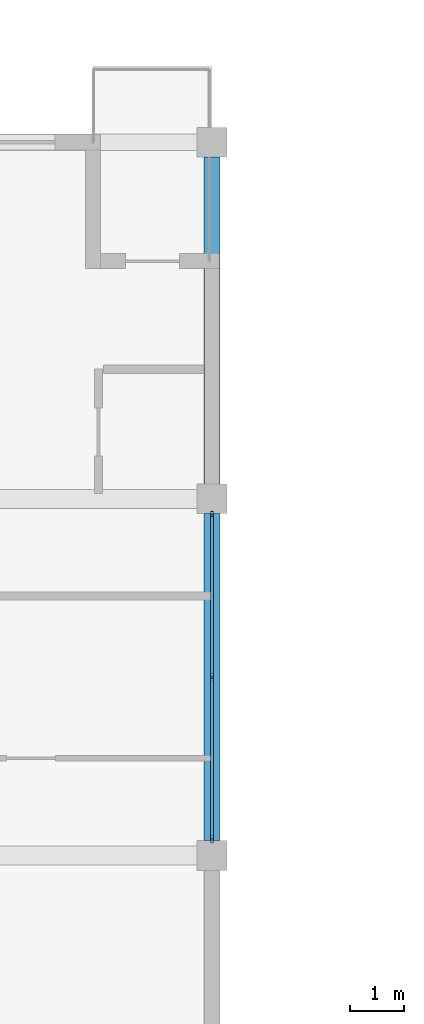
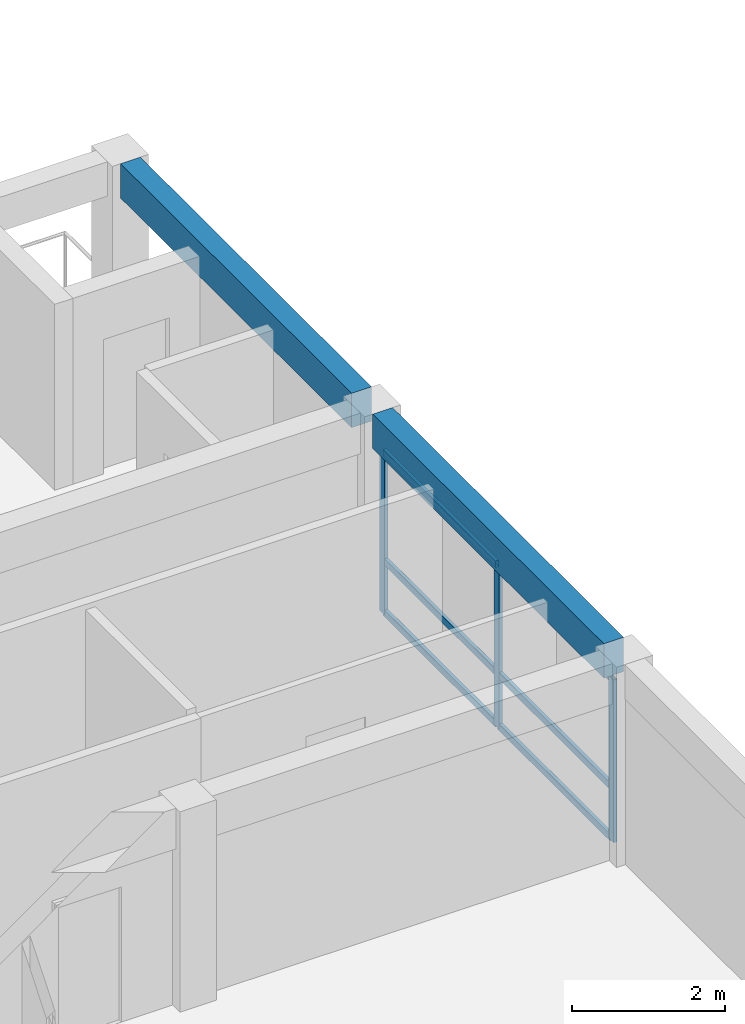
# One storey, part 16 of 46: 9 members, 2 beams, 1 element without a shape of its own.
"""IFC4 building model written with IfcOpenShell, lengths in metres."""

from ifc_helpers import new_model, si_unit, direction, frame, origin, origin_2d, place, context, subcontext, project, spatial, rectangle, hollow_rectangle, extrude, material, material_profile, profile_set, type_object, element, aggregate, save


model = new_model("IFC4")

# Units and contexts
model_context = context("Model", 3, precision=1e-05, world=origin(), true_north=direction((0.0, 1.0)))
body_context = subcontext(model_context, "Body", "Model", "MODEL_VIEW")
ifc_project = project(units=[si_unit("LENGTHUNIT", "METRE"), si_unit("AREAUNIT", "SQUARE_METRE"), si_unit("VOLUMEUNIT", "CUBIC_METRE"), si_unit("PLANEANGLEUNIT", "RADIAN"), si_unit("MASSUNIT", "GRAM", prefix="KILO")], contexts=[model_context])

# Site, building, storey
site_placement = place(None, origin())
site = spatial("IfcSite", under=ifc_project, at=site_placement, CompositionType="ELEMENT")
building_placement = place(site_placement, origin())
building = spatial("IfcBuilding", under=site, at=building_placement, Name="Kernevlak Ridge Housing Community", CompositionType="ELEMENT")
storey_placement = place(building_placement, frame((0.0, 0.0, 27.60009765625)))
storey = spatial("IfcBuildingStorey", under=building, at=storey_placement, Name="L08", CompositionType="ELEMENT", Elevation=27.60009765625)

# Curtain wall, members
ifc_material_1 = material(Name="Aluminium EN AW-6060 anodised and laminated glass", Category="aluminium")
curtain_wall_type = type_object("IfcCurtainWallType", Name="CW-10", PredefinedType="NOTDEFINED", material=ifc_material_1)
curtain_wall_placement = place(storey_placement, origin())
curtain_wall = element("IfcCurtainWall", 1, at=curtain_wall_placement, inside=storey, type_object=curtain_wall_type, Name="Curtain wall CW-10 CW-L08-027", PredefinedType="NOTDEFINED")
ifc_material_2 = material(Name="Aluminium EN AW-6060 anodised", Category="aluminium")
ifc_material_profile_1 = material_profile(ifc_material_2, hollow_rectangle(XDim=0.054931640625, YDim=0.139892578125, WallThickness=0.00390625, InnerFilletRadius=0.001953125, OuterFilletRadius=0.00390625, at=origin_2d()), Name="ALU 55x140x4")
ifc_profile_set_1 = profile_set([ifc_material_profile_1], Name="Aluminium EN AW-6060 anodised")
member_type_1 = type_object("IfcMemberType", Name="MU-01", PredefinedType="MULLION", material=ifc_profile_set_1)
member_1_placement = place(storey_placement, frame((48.60009765625, 82.902587890625, 0.0), z_axis=(0.0, 0.0, 1.0), x_axis=(-1.0, 0.0, 0.0)))
member_1 = element("IfcMember", 2, at=member_1_placement, type_object=member_type_1, Name="CW-10 mullion 1", PredefinedType="MULLION", context=body_context, shape_type="SweptSolid", body=[
    extrude(hollow_rectangle(XDim=0.054931640625, YDim=0.139892578125, WallThickness=0.00390625, InnerFilletRadius=0.001953125, OuterFilletRadius=0.00390625, at=origin_2d()), origin(), (0.0, 0.0, 1.0), 2.599853515625),
])
member_2_placement = place(storey_placement, frame((48.60009765625, 85.89990234375, 0.0), z_axis=(0.0, 0.0, 1.0), x_axis=(-1.0, 0.0, 0.0)))
member_2 = element("IfcMember", 3, at=member_2_placement, type_object=member_type_1, Name="CW-10 mullion 2", PredefinedType="MULLION", context=body_context, shape_type="SweptSolid", body=[
    extrude(hollow_rectangle(XDim=0.054931640625, YDim=0.139892578125, WallThickness=0.00390625, InnerFilletRadius=0.001953125, OuterFilletRadius=0.00390625, at=origin_2d()), origin(), (0.0, 0.0, 1.0), 2.599853515625),
])
member_3_placement = place(storey_placement, frame((48.60009765625, 88.8974609375, 0.0), z_axis=(0.0, 0.0, 1.0), x_axis=(-1.0, 0.0, 0.0)))
member_3 = element("IfcMember", 4, at=member_3_placement, type_object=member_type_1, Name="CW-10 mullion 3", PredefinedType="MULLION", context=body_context, shape_type="SweptSolid", body=[
    extrude(hollow_rectangle(XDim=0.054931640625, YDim=0.139892578125, WallThickness=0.00390625, InnerFilletRadius=0.001953125, OuterFilletRadius=0.00390625, at=origin_2d()), origin(), (0.0, 0.0, 1.0), 2.599853515625),
])

# Beams
ifc_material_3 = material(Name="Concrete C35/45", Category="concrete")
ifc_material_profile_2 = material_profile(ifc_material_3, rectangle(XDim=0.300048828125, YDim=0.550048828125, at=origin_2d()), Name="RC 300x550")
ifc_profile_set_2 = profile_set([ifc_material_profile_2], Name="Concrete C35/45")
beam_type = type_object("IfcBeamType", Name="SP-01", PredefinedType="SPANDREL", material=ifc_profile_set_2)
beam_1_placement = place(storey_placement, frame((48.60009765625, 82.875, 2.9248046875), z_axis=(0.0, 1.0, 0.0), x_axis=(-1.0, 0.0, 0.0)))
element("IfcBeam", 5, at=beam_1_placement, inside=storey, type_object=beam_type, Name="Beam SP-01 L08 289", PredefinedType="SPANDREL", context=body_context, shape_type="SweptSolid", body=[
    extrude(rectangle(XDim=0.300048828125, YDim=0.550048828125, at=origin_2d()), origin(), (0.0, 0.0, 1.0), 6.050048828125),
])
beam_2_placement = place(storey_placement, frame((48.60009765625, 89.47509765625, 2.9248046875), z_axis=(0.0, 1.0, 0.0), x_axis=(-1.0, 0.0, 0.0)))
element("IfcBeam", 6, at=beam_2_placement, inside=storey, type_object=beam_type, Name="Beam SP-01 L08 290", PredefinedType="SPANDREL", context=body_context, shape_type="SweptSolid", body=[
    extrude(rectangle(XDim=0.300048828125, YDim=0.550048828125, at=origin_2d()), origin(), (0.0, 0.0, 1.0), 6.0498046875),
])

# Member
ifc_material_profile_3 = material_profile(ifc_material_2, hollow_rectangle(XDim=0.054931640625, YDim=0.110107421875, WallThickness=0.00390625, InnerFilletRadius=0.001953125, OuterFilletRadius=0.00390625, at=origin_2d()), Name="ALU 55x110x4")
ifc_profile_set_3 = profile_set([ifc_material_profile_3], Name="Aluminium EN AW-6060 anodised")
member_type_2 = type_object("IfcMemberType", Name="TM-01", PredefinedType="USERDEFINED", material=ifc_profile_set_3)
member_4_placement = place(storey_placement, frame((48.60009765625, 82.929931640625, 0.02734375), z_axis=(0.0, 1.0, 0.0), x_axis=(-1.0, 0.0, 0.0)))
member_4 = element("IfcMember", 7, at=member_4_placement, type_object=member_type_2, Name="CW-10 transom 1.1", ObjectType="TRANSOM", PredefinedType="USERDEFINED", context=body_context, shape_type="SweptSolid", body=[
    extrude(hollow_rectangle(XDim=0.054931640625, YDim=0.110107421875, WallThickness=0.00390625, InnerFilletRadius=0.001953125, OuterFilletRadius=0.00390625, at=origin_2d()), origin(), (0.0, 0.0, 1.0), 2.942626953125),
])

member_5_placement = place(storey_placement, frame((48.60009765625, 82.929931640625, 0.849853515625), z_axis=(0.0, 1.0, 0.0), x_axis=(-1.0, 0.0, 0.0)))
member_5 = element("IfcMember", 8, at=member_5_placement, type_object=member_type_2, Name="CW-10 transom 1.2", ObjectType="TRANSOM", PredefinedType="USERDEFINED", context=body_context, shape_type="SweptSolid", body=[
    extrude(hollow_rectangle(XDim=0.054931640625, YDim=0.110107421875, WallThickness=0.00390625, InnerFilletRadius=0.001953125, OuterFilletRadius=0.00390625, at=origin_2d()), origin(), (0.0, 0.0, 1.0), 2.942626953125),
])

member_6_placement = place(storey_placement, frame((48.60009765625, 82.929931640625, 2.572509765625), z_axis=(0.0, 1.0, 0.0), x_axis=(-1.0, 0.0, 0.0)))
member_6 = element("IfcMember", 9, at=member_6_placement, type_object=member_type_2, Name="CW-10 transom 1.3", ObjectType="TRANSOM", PredefinedType="USERDEFINED", context=body_context, shape_type="SweptSolid", body=[
    extrude(hollow_rectangle(XDim=0.054931640625, YDim=0.110107421875, WallThickness=0.00390625, InnerFilletRadius=0.001953125, OuterFilletRadius=0.00390625, at=origin_2d()), origin(), (0.0, 0.0, 1.0), 2.942626953125),
])

member_7_placement = place(storey_placement, frame((48.60009765625, 85.927490234375, 0.02734375), z_axis=(0.0, 1.0, 0.0), x_axis=(-1.0, 0.0, 0.0)))
member_7 = element("IfcMember", 10, at=member_7_placement, type_object=member_type_2, Name="CW-10 transom 2.1", ObjectType="TRANSOM", PredefinedType="USERDEFINED", context=body_context, shape_type="SweptSolid", body=[
    extrude(hollow_rectangle(XDim=0.054931640625, YDim=0.110107421875, WallThickness=0.00390625, InnerFilletRadius=0.001953125, OuterFilletRadius=0.00390625, at=origin_2d()), origin(), (0.0, 0.0, 1.0), 2.942626953125),
])

member_8_placement = place(storey_placement, frame((48.60009765625, 85.927490234375, 0.849853515625), z_axis=(0.0, 1.0, 0.0), x_axis=(-1.0, 0.0, 0.0)))
member_8 = element("IfcMember", 11, at=member_8_placement, type_object=member_type_2, Name="CW-10 transom 2.2", ObjectType="TRANSOM", PredefinedType="USERDEFINED", context=body_context, shape_type="SweptSolid", body=[
    extrude(hollow_rectangle(XDim=0.054931640625, YDim=0.110107421875, WallThickness=0.00390625, InnerFilletRadius=0.001953125, OuterFilletRadius=0.00390625, at=origin_2d()), origin(), (0.0, 0.0, 1.0), 2.942626953125),
])

member_9_placement = place(storey_placement, frame((48.60009765625, 85.927490234375, 2.572509765625), z_axis=(0.0, 1.0, 0.0), x_axis=(-1.0, 0.0, 0.0)))
member_9 = element("IfcMember", 12, at=member_9_placement, type_object=member_type_2, Name="CW-10 transom 2.3", ObjectType="TRANSOM", PredefinedType="USERDEFINED", context=body_context, shape_type="SweptSolid", body=[
    extrude(hollow_rectangle(XDim=0.054931640625, YDim=0.110107421875, WallThickness=0.00390625, InnerFilletRadius=0.001953125, OuterFilletRadius=0.00390625, at=origin_2d()), origin(), (0.0, 0.0, 1.0), 2.942626953125),
])

aggregate(curtain_wall, [member_1, member_2, member_3, member_4, member_5, member_6, member_7, member_8, member_9])

save(model, "model.ifc")
